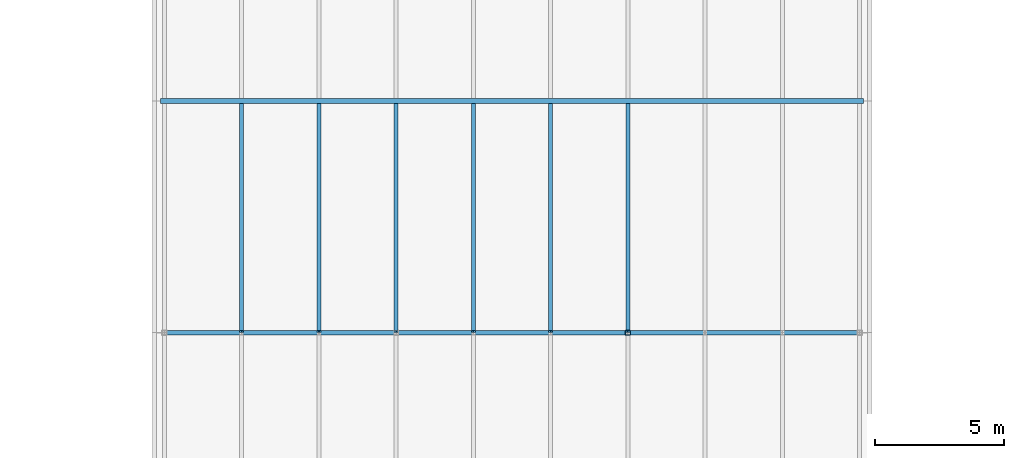
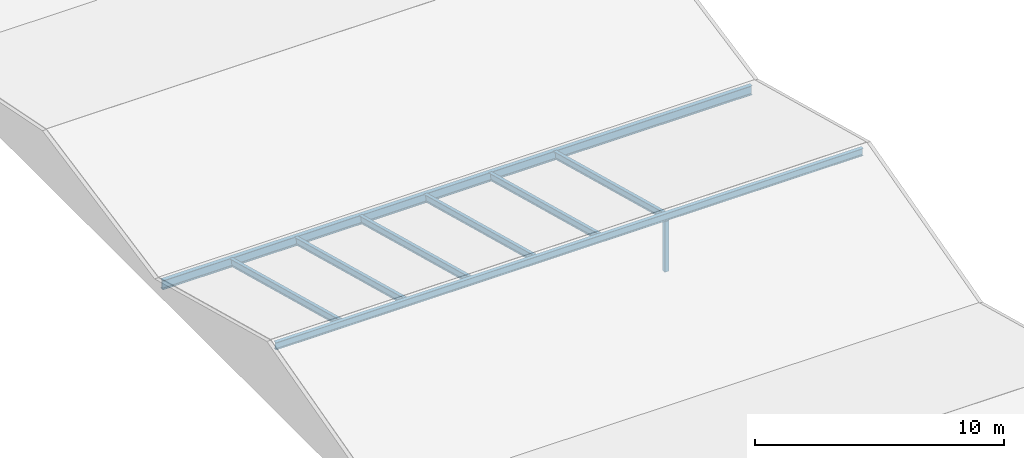
# One storey, part 10 of 29: 7 members, 2 beams.
"""IFC4 building model written with IfcOpenShell, lengths in metres."""

from ifc_helpers import new_model, si_unit, direction, frame, origin, origin_2d, place, context, subcontext, project, spatial, hollow_rectangle, i_section, extrude, material, material_profile, profile_set, type_object, element, save


model = new_model("IFC4")

# Units and contexts
model_context = context("Model", 3, precision=1e-05, world=origin(), true_north=direction((0.0, 1.0)))
body_context = subcontext(model_context, "Body", "Model", "MODEL_VIEW")
ifc_project = project(units=[si_unit("LENGTHUNIT", "METRE"), si_unit("AREAUNIT", "SQUARE_METRE"), si_unit("VOLUMEUNIT", "CUBIC_METRE"), si_unit("PLANEANGLEUNIT", "RADIAN"), si_unit("MASSUNIT", "GRAM", prefix="KILO")], contexts=[model_context])

# Site, building, storey
site_placement = place(None, origin())
site = spatial("IfcSite", under=ifc_project, at=site_placement, CompositionType="ELEMENT")
building_placement = place(site_placement, origin())
building = spatial("IfcBuilding", under=site, at=building_placement, Name="Azimuth Sports and Learning Centre", CompositionType="ELEMENT")
storey_placement = place(building_placement, frame((0.0, 0.0, 27.0)))
storey = spatial("IfcBuildingStorey", under=building, at=storey_placement, Name="L05", CompositionType="ELEMENT", Elevation=27.0)

# Beams
ifc_material_1 = material(Name="Steel S355", Category="steel")
ifc_material_profile_1 = material_profile(ifc_material_1, i_section(OverallWidth=0.169921875, OverallDepth=0.360107421875, WebThickness=0.008056640625, FlangeThickness=0.0126953125, FilletRadius=0.01806640625, at=origin_2d()), Name="IPE 360")
ifc_profile_set_1 = profile_set([ifc_material_profile_1], Name="Steel S355")
beam_type_1 = type_object("IfcBeamType", Name="Beam IPE 360", PredefinedType="BEAM", material=ifc_profile_set_1)
beam_1_placement = place(storey_placement, frame((71.89990234375, 54.0, 2.664794921875), z_axis=(1.0, 0.0, 0.0), x_axis=(0.0, 1.0, 0.0)))
element("IfcBeam", 1, at=beam_1_placement, inside=storey, type_object=beam_type_1, Name="Beam L05 RF 7", PredefinedType="BEAM", context=body_context, shape_type="SweptSolid", body=[
    extrude(i_section(OverallWidth=0.169921875, OverallDepth=0.360107421875, WebThickness=0.008056640625, FlangeThickness=0.0126953125, FilletRadius=0.01806640625, at=origin_2d()), origin(), (0.0, 0.0, 1.0), 27.2001953125),
])
ifc_material_2 = material(Name="Steel S355", Category="steel")
ifc_material_profile_2 = material_profile(ifc_material_2, i_section(OverallWidth=0.18994140625, OverallDepth=0.449951171875, WebThickness=0.009521484375, FlangeThickness=0.0146484375, FilletRadius=0.02099609375, at=origin_2d()), Name="IPE 450")
ifc_profile_set_2 = profile_set([ifc_material_profile_2], Name="Steel S355")
beam_type_2 = type_object("IfcBeamType", Name="Beam IPE 450", PredefinedType="BEAM", material=ifc_profile_set_2)
beam_2_placement = place(storey_placement, frame((71.85009765625, 63.0, 0.220947265625), z_axis=(1.0, 0.0, 0.0), x_axis=(0.0, 1.0, 0.0)))
element("IfcBeam", 2, at=beam_2_placement, inside=storey, type_object=beam_type_2, Name="Beam L05 RF 8", PredefinedType="BEAM", context=body_context, shape_type="SweptSolid", body=[
    extrude(i_section(OverallWidth=0.18994140625, OverallDepth=0.449951171875, WebThickness=0.009521484375, FlangeThickness=0.0146484375, FilletRadius=0.02099609375, at=origin_2d()), origin(), (0.0, 0.0, 1.0), 27.2998046875),
])

# Members
ifc_material_3 = material(Name="Steel S355", Category="steel")
ifc_material_profile_3 = material_profile(ifc_material_3, i_section(OverallWidth=0.159912109375, OverallDepth=0.330078125, WebThickness=0.007568359375, FlangeThickness=0.011474609375, FilletRadius=0.01806640625, at=origin_2d()), Name="IPE 330")
ifc_profile_set_3 = profile_set([ifc_material_profile_3], Name="Steel S355")
member_type_1 = type_object("IfcMemberType", Name="Rafter IPE 330", PredefinedType="RAFTER", material=ifc_profile_set_3)
for number, where, z_axis, x_axis, name in (
    (3, (75.0, 54.04248046875, 2.66259765625), (0.0, 0.966234051779, -0.257665979872), (-1.0, 0.0, 0.0), "Rafter FOLD07 62"),
    (4, (78.0, 54.04248046875, 2.66259765625), (0.0, 0.966234051779, -0.257665979872), (-1.0, 0.0, 0.0), "Rafter FOLD07 63"),
    (5, (81.0, 54.04248046875, 2.66259765625), (0.0, 0.966234051779, -0.257665979872), (-1.0, 0.0, 0.0), "Rafter FOLD07 64"),
    (6, (84.0, 54.04248046875, 2.66259765625), (0.0, 0.966234051779, -0.257665979872), (-1.0, 0.0, 0.0), "Rafter FOLD07 65"),
    (7, (87.0, 54.04248046875, 2.66259765625), (0.0, 0.966234051779, -0.257665979872), (-1.0, 0.0, 0.0), "Rafter FOLD07 66"),
    (8, (90.0, 54.04248046875, 2.66259765625), (0.0, 0.966234051779, -0.257665979872), (-1.0, 0.0, 0.0), "Rafter FOLD07 67"),
):
    element("IfcMember", number, at=place(storey_placement, frame(where, z_axis=z_axis, x_axis=x_axis)), inside=storey, type_object=member_type_1, Name=name, PredefinedType="RAFTER", context=body_context, shape_type="SweptSolid", body=[
        extrude(i_section(OverallWidth=0.159912109375, OverallDepth=0.330078125, WebThickness=0.007568359375, FlangeThickness=0.011474609375, FilletRadius=0.01806640625, at=origin_2d()), origin(), (0.0, 0.0, 1.0), 9.128173828125),
    ])
ifc_material_4 = material(Name="Steel S355", Category="steel")
ifc_material_profile_4 = material_profile(ifc_material_4, hollow_rectangle(XDim=0.199951171875, YDim=0.199951171875, WallThickness=0.010009765625, InnerFilletRadius=0.010009765625, OuterFilletRadius=0.014892578125, at=origin_2d()), Name="SHS 200x200x10.0")
ifc_profile_set_4 = profile_set([ifc_material_profile_4], Name="Steel S355")
member_type_2 = type_object("IfcMemberType", Name="Truss post SHS 200x200x10.0", PredefinedType="POST", material=ifc_profile_set_4)
member_placement = place(storey_placement, frame((90.0, 54.0, 0.0), z_axis=(0.0, 0.0, 1.0), x_axis=(1.0, 0.0, 0.0)))
element("IfcMember", 9, at=member_placement, inside=storey, type_object=member_type_2, Name="Ridge post 11G", PredefinedType="POST", context=body_context, shape_type="SweptSolid", body=[
    extrude(hollow_rectangle(XDim=0.199951171875, YDim=0.199951171875, WallThickness=0.010009765625, InnerFilletRadius=0.010009765625, OuterFilletRadius=0.014892578125, at=origin_2d()), origin(), (0.0, 0.0, 1.0), 2.48486328125),
])

save(model, "model.ifc")
